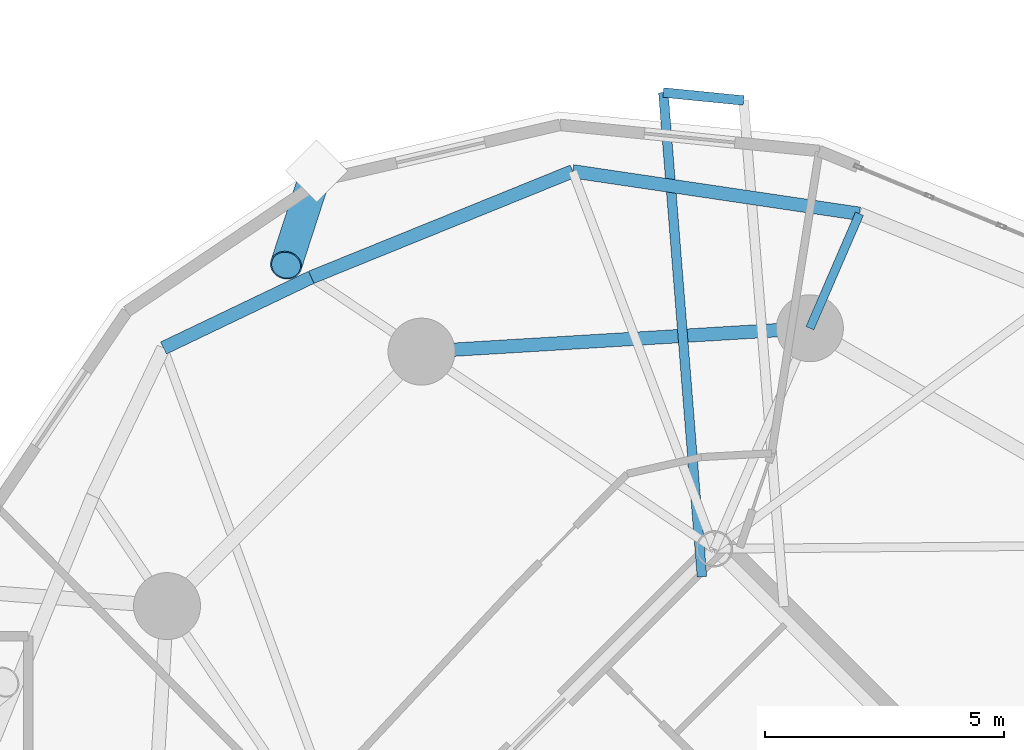
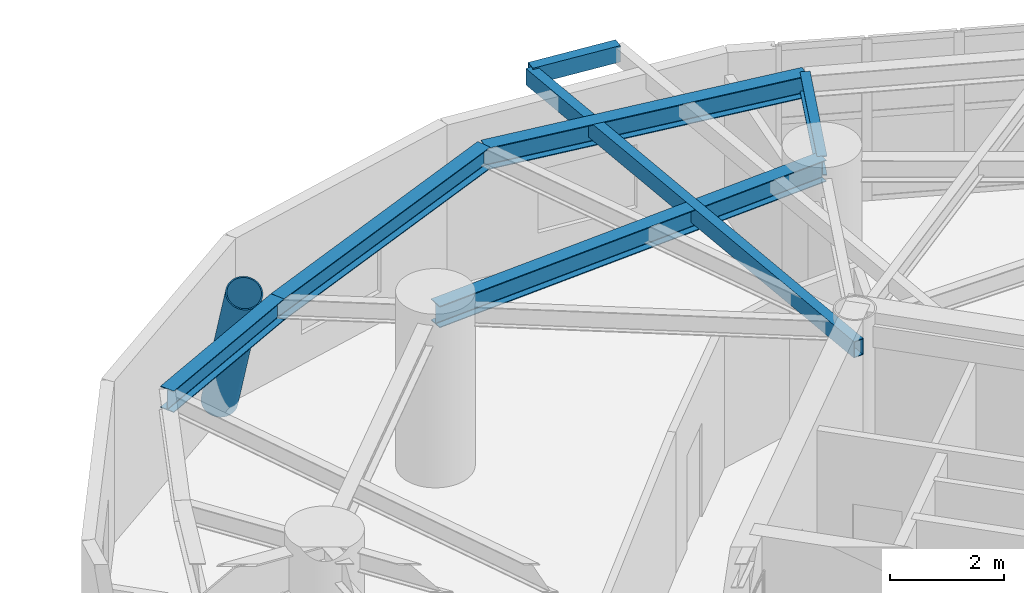
# One storey, part 9 of 20: 7 beams, 1 member.
"""IFC4 building model written with IfcOpenShell, lengths in metres."""

from ifc_helpers import new_model, si_unit, direction, frame, origin, origin_2d, place, context, subcontext, project, spatial, hollow_rectangle, hollow_circle, i_section, extrude, material, material_profile, profile_set, type_object, element, save


model = new_model("IFC4")

# Units and contexts
model_context = context("Model", 3, precision=1e-05, world=origin(), true_north=direction((0.0, 1.0)))
body_context = subcontext(model_context, "Body", "Model", "MODEL_VIEW")
ifc_project = project(units=[si_unit("LENGTHUNIT", "METRE"), si_unit("AREAUNIT", "SQUARE_METRE"), si_unit("VOLUMEUNIT", "CUBIC_METRE"), si_unit("PLANEANGLEUNIT", "RADIAN"), si_unit("MASSUNIT", "GRAM", prefix="KILO")], contexts=[model_context])

# Site, building, storey
site_placement = place(None, origin())
site = spatial("IfcSite", under=ifc_project, at=site_placement, CompositionType="ELEMENT")
building_placement = place(site_placement, origin())
building = spatial("IfcBuilding", under=site, at=building_placement, Name="Cununo Teusaquillo Station Towers", CompositionType="ELEMENT")
storey_placement = place(building_placement, frame((0.0, 0.0, 140.320068359375)))
storey = spatial("IfcBuildingStorey", under=building, at=storey_placement, Name="L44", CompositionType="ELEMENT", Elevation=140.320068359375)

# Beams
ifc_material_1 = material(Name="Steel EN 10025-2 S355J2", Category="steel")
ifc_material_profile_1 = material_profile(ifc_material_1, hollow_rectangle(XDim=0.199951171875, YDim=0.35009765625, WallThickness=0.013916015625, at=origin_2d()), Name="RHS 350x200x14")
ifc_profile_set_1 = profile_set([ifc_material_profile_1], Name="Steel EN 10025-2 S355J2")
beam_type_1 = type_object("IfcBeamType", Name="BM-BAL-CANT", PredefinedType="BEAM", material=ifc_profile_set_1)
beam_1_placement = place(storey_placement, frame((56.03515625, 32.439697265625, 3.304931640625), z_axis=(-0.079465216198, 0.996837639445, 0.0), x_axis=(-0.996837639445, -0.079465216198, 0.0)))
element("IfcBeam", 1, at=beam_1_placement, inside=storey, type_object=beam_type_1, Name="L44 Tower B Balcony Cantilever Bracket 1B", PredefinedType="BEAM", context=body_context, shape_type="SweptSolid", body=[
    extrude(hollow_rectangle(XDim=0.199951171875, YDim=0.35009765625, WallThickness=0.013916015625, at=origin_2d()), origin(), (0.0, 0.0, 1.0), 10.154052734375),
])
ifc_material_2 = material(Name="Steel ASTM A572 Grade 50", Category="steel")
ifc_material_profile_2 = material_profile(ifc_material_2, i_section(OverallWidth=0.180908203125, OverallDepth=0.4169921875, WebThickness=0.010986328125, FlangeThickness=0.018310546875, FilletRadius=0.012939453125, at=origin_2d()), Name="W16X57")
ifc_profile_set_2 = profile_set([ifc_material_profile_2], Name="Steel ASTM A572 Grade 50")
beam_type_2 = type_object("IfcBeamType", Name="BM-RAD-G2", PredefinedType="BEAM", material=ifc_profile_set_2)
beam_2_placement = place(storey_placement, frame((58.291015625, 37.63525390625, 3.271484375), z_axis=(0.397431352311, 0.917631908883, 0.0), x_axis=(-0.917631908883, 0.397431352311, 0.0)))
element("IfcBeam", 2, at=beam_2_placement, inside=storey, type_object=beam_type_2, Name="L44 Tower B Perimeter Overhang Girder 02B", PredefinedType="BEAM", context=body_context, shape_type="SweptSolid", body=[
    extrude(i_section(OverallWidth=0.180908203125, OverallDepth=0.4169921875, WebThickness=0.010986328125, FlangeThickness=0.018310546875, FilletRadius=0.012939453125, at=origin_2d()), origin(), (0.0, 0.0, 1.0), 2.607177734375),
])
ifc_material_3 = material(Name="Steel ASTM A572 Grade 50", Category="steel")
ifc_material_profile_3 = material_profile(ifc_material_3, i_section(OverallWidth=0.280029296875, OverallDepth=0.462890625, WebThickness=0.0107421875, FlangeThickness=0.017333984375, FilletRadius=0.013916015625, at=origin_2d()), Name="W18X76")
ifc_profile_set_3 = profile_set([ifc_material_profile_3], Name="Steel ASTM A572 Grade 50")
beam_type_3 = type_object("IfcBeamType", Name="BM-RING-Z2", PredefinedType="SPANDREL", material=ifc_profile_set_3)
beam_3_placement = place(storey_placement, frame((58.291015625, 37.63525390625, 3.24853515625), z_axis=(-0.998190567048, -0.06012979176, 0.0), x_axis=(0.06012979176, -0.998190567048, 0.0)))
element("IfcBeam", 3, at=beam_3_placement, inside=storey, type_object=beam_type_3, Name="L44 Tower B Structural Column Ring Girder 02", PredefinedType="SPANDREL", context=body_context, shape_type="SweptSolid", body=[
    extrude(i_section(OverallWidth=0.280029296875, OverallDepth=0.462890625, WebThickness=0.0107421875, FlangeThickness=0.017333984375, FilletRadius=0.013916015625, at=origin_2d()), origin(), (0.0, 0.0, 1.0), 8.132568359375),
])
beam_4_placement = place(storey_placement, frame((59.3271484375, 40.027587890625, 3.24853515625), z_axis=(-0.989205409176, 0.146535519435, 0.0), x_axis=(-0.146535519435, -0.989205409176, 0.0)))
element("IfcBeam", 4, at=beam_4_placement, inside=storey, type_object=beam_type_3, Name="L44 Tower B Spandrel Ring Beam 03", PredefinedType="SPANDREL", context=body_context, shape_type="SweptSolid", body=[
    extrude(i_section(OverallWidth=0.280029296875, OverallDepth=0.462890625, WebThickness=0.0107421875, FlangeThickness=0.017333984375, FilletRadius=0.013916015625, at=origin_2d()), origin(), (0.0, 0.0, 1.0), 6.0595703125),
])
beam_5_placement = place(storey_placement, frame((53.3330078125, 40.91552734375, 3.24853515625), z_axis=(-0.926667183359, -0.375882869104, 0.0), x_axis=(0.375882869104, -0.926667183359, 0.0)))
element("IfcBeam", 5, at=beam_5_placement, inside=storey, type_object=beam_type_3, Name="L44 Tower B Spandrel Ring Beam 04", PredefinedType="SPANDREL", context=body_context, shape_type="SweptSolid", body=[
    extrude(i_section(OverallWidth=0.280029296875, OverallDepth=0.462890625, WebThickness=0.0107421875, FlangeThickness=0.017333984375, FilletRadius=0.013916015625, at=origin_2d()), origin(), (0.0, 0.0, 1.0), 5.8974609375),
])
beam_6_placement = place(storey_placement, frame((47.867919921875, 38.69873046875, 3.24853515625), z_axis=(-0.902077503555, -0.431574069634, 0.0), x_axis=(0.431574069634, -0.902077503555, 0.0)))
element("IfcBeam", 6, at=beam_6_placement, inside=storey, type_object=beam_type_3, Name="L44 Tower B Spandrel Ring Beam 05", PredefinedType="SPANDREL", context=body_context, shape_type="SweptSolid", body=[
    extrude(i_section(OverallWidth=0.280029296875, OverallDepth=0.462890625, WebThickness=0.0107421875, FlangeThickness=0.017333984375, FilletRadius=0.013916015625, at=origin_2d()), origin(), (0.0, 0.0, 1.0), 3.424072265625),
])
ifc_material_4 = material(Name="Steel EN 10025-2 S355J2", Category="steel")
ifc_material_profile_4 = material_profile(ifc_material_4, hollow_rectangle(XDim=0.199951171875, YDim=0.35009765625, WallThickness=0.013916015625, at=origin_2d()), Name="RHS 350x200x14")
ifc_profile_set_4 = profile_set([ifc_material_profile_4], Name="Steel EN 10025-2 S355J2")
beam_type_4 = type_object("IfcBeamType", Name="BM-STAIR-TRIM", PredefinedType="BEAM", material=ifc_profile_set_4)
beam_7_placement = place(storey_placement, frame((56.905517578125, 42.3955078125, 3.3349609375), z_axis=(-0.995137076622, 0.098499739753, 0.0), x_axis=(-0.098499739753, -0.995137076622, 0.0)))
element("IfcBeam", 7, at=beam_7_placement, inside=storey, type_object=beam_type_4, Name="L44 Tower B Balcony Edge Trimmer Beam 1", PredefinedType="BEAM", context=body_context, shape_type="SweptSolid", body=[
    extrude(hollow_rectangle(XDim=0.199951171875, YDim=0.35009765625, WallThickness=0.013916015625, at=origin_2d()), origin(), (0.0, 0.0, 1.0), 1.685546875),
])

# Member
ifc_material_5 = material(Name="Steel EN 10025-2 S355J2", Category="steel")
ifc_material_profile_5 = material_profile(ifc_material_5, hollow_circle(Radius=0.330078125, WallThickness=0.02490234375, at=origin_2d()), Name="CHS 660x25")
ifc_profile_set_5 = profile_set([ifc_material_profile_5], Name="Steel EN 10025-2 S355J2")
member_type = type_object("IfcMemberType", Name="MBR-DIAG-Z2", PredefinedType="BRACE", material=ifc_profile_set_5)
member_placement = place(storey_placement, frame((47.980224609375, 40.92529296875, -0.14013671875), z_axis=(-0.150129009836, -0.463227387738, 0.873430974751), x_axis=(0.951287220767, -0.308306055091, 0.0)))
element("IfcMember", 8, at=member_placement, inside=storey, type_object=member_type, Name="L44 Tower B Folded-Zigzag Diagrid Tube C04", PredefinedType="BRACE", context=body_context, shape_type="SweptSolid", body=[
    extrude(hollow_circle(Radius=0.330078125, WallThickness=0.02490234375, at=origin_2d()), origin(), (0.0, 0.0, 1.0), 4.259033203125),
])

save(model, "model.ifc")
